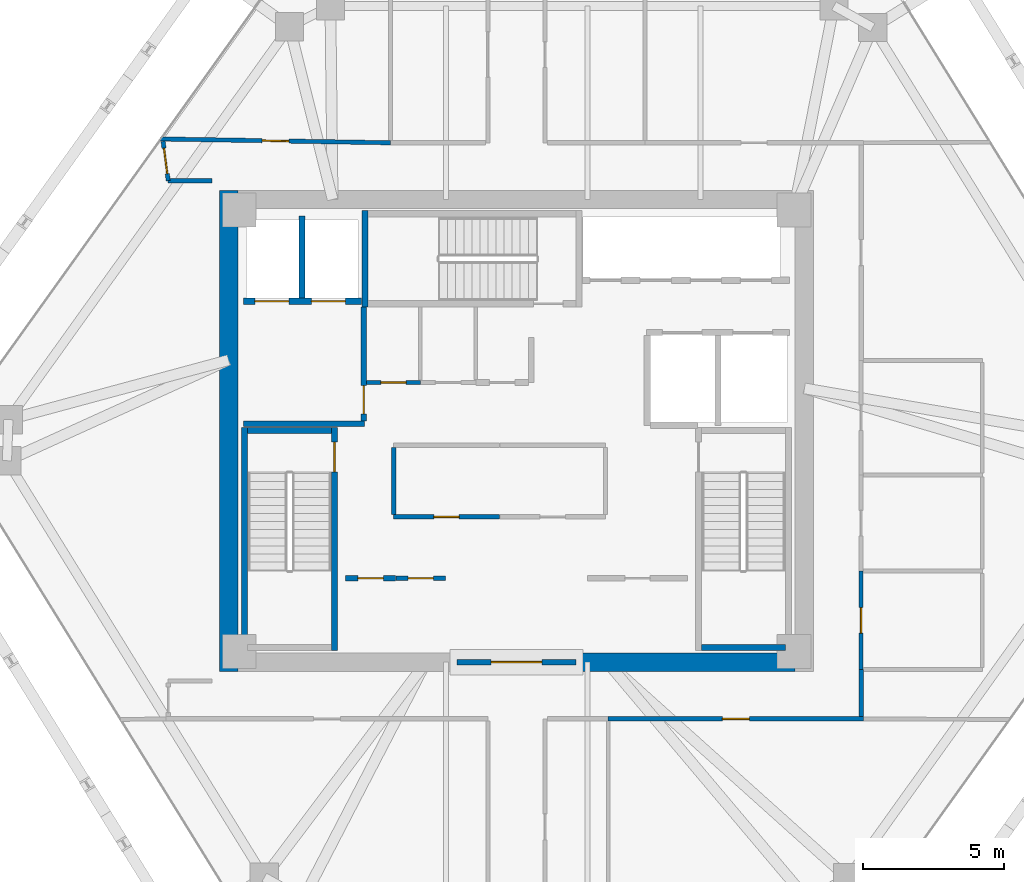
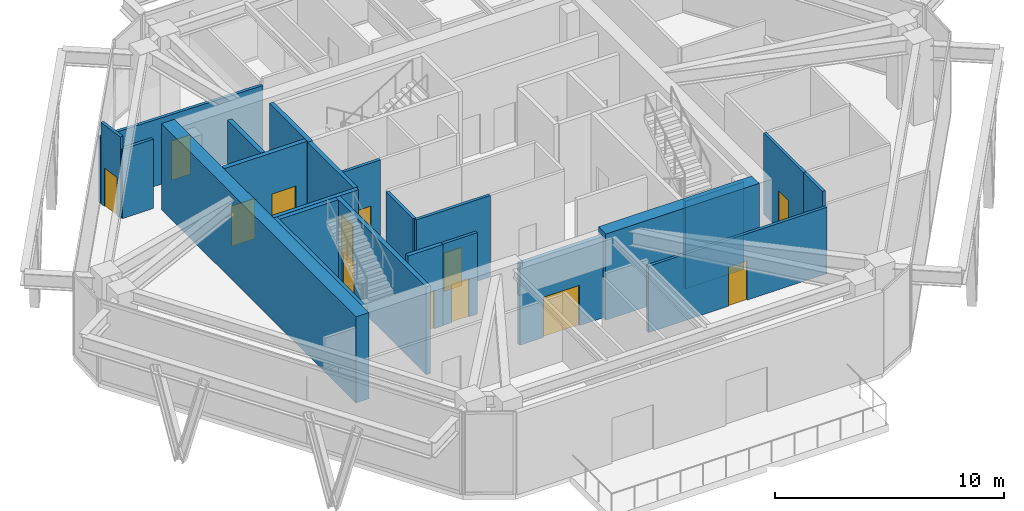
# One storey, part 8 of 12: 23 walls, 13 doors, 13 openings.
"""IFC4 building model written with IfcOpenShell, lengths in metres."""

import ifcopenshell
import ifcopenshell.guid

model = None  # the IFC model being written
_history = None  # IfcOwnerHistory: only IFC2X3 demands one
_inside = {}  # id of a spatial element -> (the spatial element, [elements in it])
_under = {}  # id of a project, library or spatial element -> (it, [spatial elements below it])
_declared = {}  # id of a project -> (the project, [libraries it declares])
_typed = {}  # id of a type object -> (the type object, [elements of that type])
_made_of = {}  # id of a material, layer set ... -> (it, [elements and type objects made of it])


def new_model(schema):
    """Start an empty IFC model of exactly this schema.

    Asked for "IFC4X3", IfcOpenShell would pick the latest addendum, in which some entities
    have other attributes; the version numbers below select the first issue.
    IFC2X3 requires an IfcOwnerHistory on every rooted entity: one is made here for all.
    """
    global model, _history
    if schema == "IFC4X3":
        model = ifcopenshell.file(schema_version=(4, 3, 0, 0))
    else:
        model = ifcopenshell.file(schema=schema)
    _inside.clear()
    _under.clear()
    _declared.clear()
    _typed.clear()
    _made_of.clear()
    _history = None
    if model.schema == "IFC2X3":
        org = make("IfcOrganization", Name="unknown")
        user = make(
            "IfcPersonAndOrganization",
            ThePerson=make("IfcPerson", FamilyName="unknown"),
            TheOrganization=org,
        )
        app = make(
            "IfcApplication",
            ApplicationDeveloper=org,
            Version="unknown",
            ApplicationFullName="unknown",
            ApplicationIdentifier="unknown",
        )
        _history = make(
            "IfcOwnerHistory",
            OwningUser=user,
            OwningApplication=app,
            ChangeAction="ADDED",
            CreationDate=0,
        )
    return model


def make(cls, **values):
    """One entity of the class cls with the attributes given. An attribute that is None is left unset."""
    return model.create_entity(
        cls, **{name: value for name, value in values.items() if value is not None}
    )


def rooted(cls, **values):
    """An entity with a GlobalId (a new one), such as an element, a storey or a relation."""
    return make(cls, GlobalId=ifcopenshell.guid.new(), OwnerHistory=_history, **values)


def si_unit(unit_type, name, prefix=None):
    """IfcSIUnit, for example si_unit("LENGTHUNIT", "METRE", prefix="MILLI")."""
    return make("IfcSIUnit", UnitType=unit_type, Prefix=prefix, Name=name)


def assignment(units):
    """IfcUnitAssignment: the units of a project."""
    return None if units is None else make("IfcUnitAssignment", Units=units)


def point(xyz):
    """IfcCartesianPoint."""
    return None if xyz is None else make("IfcCartesianPoint", Coordinates=xyz)


def direction(xyz):
    """IfcDirection."""
    return None if xyz is None else make("IfcDirection", DirectionRatios=xyz)


def frame(location, z_axis=None, x_axis=None):
    """IfcAxis2Placement3D, a coordinate frame: its origin and axes. An axis left out is left unset."""
    return make(
        "IfcAxis2Placement3D",
        Location=point(location),
        Axis=direction(z_axis),
        RefDirection=direction(x_axis),
    )


def frame_2d(location, x_axis=None):
    """IfcAxis2Placement2D, a coordinate frame in the plane: its origin and x axis."""
    return make(
        "IfcAxis2Placement2D", Location=point(location), RefDirection=direction(x_axis)
    )


def origin():
    """The frame at (0, 0, 0) with its axes left unset."""
    return frame((0.0, 0.0, 0.0))


def place(relative_to, where):
    """IfcLocalPlacement: puts the frame where relative to a parent placement (None: the world)."""
    return make(
        "IfcLocalPlacement", PlacementRelTo=relative_to, RelativePlacement=where
    )


def context(
    kind, dimensions, precision=None, world=None, true_north=None, identifier=None
):
    """IfcGeometricRepresentationContext, for example the 3D "Model" context."""
    return make(
        "IfcGeometricRepresentationContext",
        ContextIdentifier=identifier,
        ContextType=kind,
        CoordinateSpaceDimension=dimensions,
        Precision=precision,
        WorldCoordinateSystem=world,
        TrueNorth=true_north,
    )


def subcontext(parent, identifier, kind, view, scale=None):
    """IfcGeometricRepresentationSubContext, for example "Body" below "Model"."""
    return make(
        "IfcGeometricRepresentationSubContext",
        ContextIdentifier=identifier,
        ContextType=kind,
        ParentContext=parent,
        TargetScale=scale,
        TargetView=view,
    )


def project(units=None, contexts=None):
    """IfcProject with its units and contexts."""
    return rooted(
        "IfcProject",
        Name="project",
        RepresentationContexts=contexts,
        UnitsInContext=assignment(units),
    )


def spatial(cls, under=None, at=None, **own):
    """A site, building, storey or space (cls), placed at a placement, below another one or the project."""
    s = rooted(cls, ObjectPlacement=at, **own)
    if under is not None:
        _under.setdefault(under.id(), (under, []))[1].append(s)
    return s


def profile(cls, at=None, kind="AREA", **sizes):
    """A parametric profile (cls). Its sizes go by their IFC names, for example OverallWidth=200.0."""
    return make(cls, ProfileType=kind, Position=at, **sizes)


def rectangle(**sizes):
    """IfcRectangleProfileDef."""
    return profile("IfcRectangleProfileDef", **sizes)


def extrude(swept, where, along, depth):
    """IfcExtrudedAreaSolid: the profile swept, set in the frame where, extruded along a direction by depth."""
    return make(
        "IfcExtrudedAreaSolid",
        SweptArea=swept,
        Position=where,
        ExtrudedDirection=direction(along),
        Depth=depth,
    )


def shape(context_of_items, identifier, shape_type, items):
    """IfcShapeRepresentation: the items that make up one representation, for example the "Body"."""
    return make(
        "IfcShapeRepresentation",
        ContextOfItems=context_of_items,
        RepresentationIdentifier=identifier,
        RepresentationType=shape_type,
        Items=items,
    )


def source(mapping_origin, context_of_items, identifier, shape_type, items):
    """IfcRepresentationMap: a shape defined once, which mapped items show again and again."""
    return make(
        "IfcRepresentationMap",
        MappingOrigin=mapping_origin,
        MappedRepresentation=shape(context_of_items, identifier, shape_type, items),
    )


def transform(
    local_origin,
    x_axis=None,
    y_axis=None,
    z_axis=None,
    scale=None,
    scale2=None,
    scale3=None,
    uniform=True,
):
    """IfcCartesianTransformationOperator3D, or its non-uniform kind. x_axis, y_axis, z_axis: its Axis1, 2, 3."""
    if uniform:
        return make(
            "IfcCartesianTransformationOperator3D",
            Axis1=direction(x_axis),
            Axis2=direction(y_axis),
            LocalOrigin=point(local_origin),
            Scale=scale,
            Axis3=direction(z_axis),
        )
    return make(
        "IfcCartesianTransformationOperator3DnonUniform",
        Axis1=direction(x_axis),
        Axis2=direction(y_axis),
        LocalOrigin=point(local_origin),
        Scale=scale,
        Axis3=direction(z_axis),
        Scale2=scale2,
        Scale3=scale3,
    )


def mapped(mapping_source, mapping_target):
    """IfcMappedItem: shows the shape of a source again, moved by a transform."""
    return make(
        "IfcMappedItem", MappingSource=mapping_source, MappingTarget=mapping_target
    )


def material(Name=None, Category=None):
    """IfcMaterial."""
    return make("IfcMaterial", Name=Name, Category=Category)


def layer(
    of_material, thickness, ventilated=None, Name=None, Category=None, Priority=None
):
    """IfcMaterialLayer: one layer of a wall or slab, of a material (None: an air gap)."""
    return make(
        "IfcMaterialLayer",
        Material=of_material,
        LayerThickness=thickness,
        IsVentilated=ventilated,
        Name=Name,
        Category=Category,
        Priority=Priority,
    )


def layer_set(layers, Name=None):
    """IfcMaterialLayerSet."""
    return make("IfcMaterialLayerSet", MaterialLayers=layers, LayerSetName=Name)


def made_of(thing, what):
    """Note that an element or type object is made of a material, layer set ...; save() writes the relation."""
    if what is not None:
        _made_of.setdefault(what.id(), (what, []))[1].append(thing)
    return thing


def type_object(cls, material=None, **own):
    """A type object (cls), such as IfcWallType, which elements share."""
    return made_of(rooted(cls, **own), material)


def type_shapes(of_type, sources):
    """Give a type object the sources (RepresentationMaps) that its elements show as mapped items."""
    of_type.RepresentationMaps = sources


def element(
    cls,
    number,
    at=None,
    inside=None,
    cuts=None,
    type_object=None,
    material=None,
    context=None,
    identifier="Body",
    shape_type=None,
    held_by="IfcProductDefinitionShape",
    body=None,
    shapes=None,
    **own,
):
    """One element of the class cls, such as IfcWall. Its Tag is "e" and its number.

    at: its placement. inside: the storey or other place that contains it. cuts: it is an
    opening in that element (IfcRelVoidsElement). A single representation is given by context,
    identifier, shape_type and body (its items); several are given by shapes. held_by: the class
    of the entity that holds the representations. save() writes the other relations.
    """
    e = rooted(cls, Tag="e%d" % number, ObjectPlacement=at, **own)
    if body is not None:
        shapes = [shape(context, identifier, shape_type, body)]
    if shapes is not None:
        e.Representation = make(held_by, Representations=shapes)
    if inside is not None:
        _inside.setdefault(inside.id(), (inside, []))[1].append(e)
    if cuts is not None:
        rooted(
            "IfcRelVoidsElement", RelatingBuildingElement=cuts, RelatedOpeningElement=e
        )
    if type_object is not None:
        _typed.setdefault(type_object.id(), (type_object, []))[1].append(e)
    return made_of(e, material)


def fill(opening, filler):
    """IfcRelFillsElement: the door or window that sits in an opening."""
    return rooted(
        "IfcRelFillsElement",
        RelatingOpeningElement=opening,
        RelatedBuildingElement=filler,
    )


def aggregate(whole, parts):
    """IfcRelAggregates: a whole, such as a stair, and the parts it consists of."""
    return rooted("IfcRelAggregates", RelatingObject=whole, RelatedObjects=parts)


def save(model, path):
    """Write the relations noted so far, then the file.

    IfcRelAggregates (storeys below a building ...), IfcRelContainedInSpatialStructure (elements
    in a storey), IfcRelDefinesByType, IfcRelAssociatesMaterial and IfcRelDeclares: one each for
    every whole, place, type object, material and project.
    """
    for whole, parts in _under.values():
        aggregate(whole, parts)
    for where, things in _inside.values():
        rooted(
            "IfcRelContainedInSpatialStructure",
            RelatedElements=things,
            RelatingStructure=where,
        )
    for kind, things in _typed.values():
        rooted("IfcRelDefinesByType", RelatedObjects=things, RelatingType=kind)
    for what, things in _made_of.values():
        rooted("IfcRelAssociatesMaterial", RelatedObjects=things, RelatingMaterial=what)
    for by, libraries in _declared.values():
        rooted("IfcRelDeclares", RelatingContext=by, RelatedDefinitions=libraries)
    model.write(path)


model = new_model("IFC4")

# Units and contexts
model_context = context("Model", 3, precision=1e-05, world=origin(), true_north=direction((0.0, 1.0)))
body_context = subcontext(model_context, "Body", "Model", "MODEL_VIEW")
ifc_project = project(units=[si_unit("LENGTHUNIT", "METRE"), si_unit("AREAUNIT", "SQUARE_METRE"), si_unit("VOLUMEUNIT", "CUBIC_METRE"), si_unit("PLANEANGLEUNIT", "RADIAN"), si_unit("MASSUNIT", "GRAM", prefix="KILO")], contexts=[model_context])

# Site, building, storey
site_placement = place(None, origin())
site = spatial("IfcSite", under=ifc_project, at=site_placement, CompositionType="ELEMENT")
building_placement = place(site_placement, origin())
building = spatial("IfcBuilding", under=site, at=building_placement, Name="Durnholm Broadcast Tower", CompositionType="ELEMENT")
storey_placement = place(building_placement, frame((0.0, 0.0, 162.60009765625)))
storey = spatial("IfcBuildingStorey", under=building, at=storey_placement, Name="L44", CompositionType="ELEMENT", Elevation=162.60009765625)

# Walls
ifc_material_1 = material(Name="Concrete C70/85", Category="concrete")
ifc_layer_1 = layer(ifc_material_1, 0.64990234375)
ifc_layer_set_1 = layer_set([ifc_layer_1], Name="Concrete C70/85")
wall_type_1 = type_object("IfcWallType", Name="WALL-CW-650", PredefinedType="SHEAR", material=ifc_layer_set_1)
wall_1_placement = place(storey_placement, frame((-10.175048828125, -8.5, 0.0), z_axis=(0.0, 0.0, 1.0), x_axis=(0.0, 1.0, 0.0)))
element("IfcWall", 1, at=wall_1_placement, inside=storey, type_object=wall_type_1, Name="L44 central core shear wall CW-WEST", PredefinedType="SHEAR", context=body_context, shape_type="SweptSolid", body=[
    extrude(rectangle(XDim=17.0, YDim=0.64990234375, at=frame_2d((8.5, 0.0))), origin(), (0.0, 0.0, 1.0), 4.599853515625),
])
wall_2_placement = place(storey_placement, frame((2.10009765625, -8.175048828125, 0.0), z_axis=(0.0, 0.0, 1.0), x_axis=(1.0, 0.0, 0.0)))
element("IfcWall", 2, at=wall_2_placement, inside=storey, type_object=wall_type_1, Name="L44 central core shear wall CW-S2", PredefinedType="SHEAR", context=body_context, shape_type="SweptSolid", body=[
    extrude(rectangle(XDim=7.75, YDim=0.64990234375, at=frame_2d((3.875, 0.0))), origin(), (0.0, 0.0, 1.0), 4.599853515625),
])

# Wall, opening, door
ifc_material_2 = material(Name="Fire-Rated Gypsum Shaftwall", Category="concrete")
ifc_layer_2 = layer(ifc_material_2, 0.199951171875)
ifc_layer_set_2 = layer_set([ifc_layer_2], Name="Fire-Rated Gypsum Shaftwall")
wall_type_2 = type_object("IfcWallType", Name="WALL-LOB-200", PredefinedType="SOLIDWALL", material=ifc_layer_set_2)
wall_3_placement = place(storey_placement, frame((-2.10009765625, -8.175048828125, 0.0), z_axis=(0.0, 0.0, 1.0), x_axis=(1.0, 0.0, 0.0)))
wall_3 = element("IfcWall", 3, at=wall_3_placement, inside=storey, type_object=wall_type_2, Name="L44 south core lobby fire screen", PredefinedType="SOLIDWALL", context=body_context, shape_type="SweptSolid", body=[
    extrude(rectangle(XDim=4.2001953125, YDim=0.199951171875, at=frame_2d((2.10009765625, 0.0))), origin(), (0.0, 0.0, 1.0), 4.344970703125),
])
opening_1_placement = place(wall_3_placement, frame((1.199951171875, 0.0, 0.0)))
opening_1 = element("IfcOpeningElement", 4, at=opening_1_placement, cuts=wall_3, Name="Opening DP-60", PredefinedType="OPENING", context=body_context, shape_type="SweptSolid", body=[
    extrude(rectangle(XDim=1.800048828125, YDim=2.14990234375, at=frame_2d((0.89990234375, 1.074951171875))), frame((0.0, 0.10986328125, 0.0), z_axis=(0.0, -1.0, 0.0), x_axis=(1.0, 0.0, 0.0)), (0.0, 0.0, 1.0), 0.219970703125),
])
ifc_material_3 = material(Name="Fire-Rated Double Corridor Door", Category="steel")
ifc_layer_3 = layer(ifc_material_3, 0.050048828125)
ifc_layer_set_3 = layer_set([ifc_layer_3], Name="Fire-Rated Double Corridor Door")
door_type_1 = type_object("IfcDoorType", Name="DOOR-PAIR-FD60", OperationType="DOUBLE_DOOR_SINGLE_SWING", PredefinedType="DOOR", material=ifc_layer_set_3)
shared_shape_1 = source(origin(), body_context, "Body", "SweptSolid", [
    extrude(rectangle(XDim=1.800048828125, YDim=2.14990234375, at=frame_2d((0.89990234375, 1.074951171875))), frame((0.0, 0.02490234375, 0.0), z_axis=(0.0, -1.0, 0.0), x_axis=(1.0, 0.0, 0.0)), (0.0, 0.0, 1.0), 0.050048828125),
])
type_shapes(door_type_1, [shared_shape_1])
door_1_placement = place(opening_1_placement, origin())
door_1 = element("IfcDoor", 5, at=door_1_placement, inside=storey, type_object=door_type_1, Name="L44 south core lobby double fire door", OperationType="DOUBLE_DOOR_SINGLE_SWING", OverallHeight=2.14990234375, OverallWidth=1.800048828125, PredefinedType="DOOR", context=body_context, shape_type="MappedRepresentation", body=[
    mapped(shared_shape_1, transform((0.0, 0.0, 0.0), x_axis=(1.0, 0.0, 0.0), y_axis=(0.0, 1.0, 0.0), z_axis=(0.0, 0.0, 1.0), scale=1.0)),
])
fill(opening_1, door_1)

# Wall
wall_4_placement = place(storey_placement, frame((-9.64990234375, 0.25, 0.0), z_axis=(0.0, 0.0, 1.0), x_axis=(1.0, 0.0, 0.0)))
element("IfcWall", 6, at=wall_4_placement, inside=storey, type_object=wall_type_2, Name="L44 Fire Service Access Elevator lobby south wall", PredefinedType="SOLIDWALL", context=body_context, shape_type="SweptSolid", body=[
    extrude(rectangle(XDim=4.27001953125, YDim=0.199951171875, at=frame_2d((2.135009765625, 0.0))), origin(), (0.0, 0.0, 1.0), 4.344970703125),
])

# Wall, opening, door
wall_5_placement = place(storey_placement, frame((-5.39990234375, 0.35400390625, 0.0), z_axis=(0.0, 0.0, 1.0), x_axis=(0.0, 1.0, 0.0)))
wall_5 = element("IfcWall", 7, at=wall_5_placement, inside=storey, type_object=wall_type_2, Name="L44 Fire Service Access Elevator lobby east fire wall", PredefinedType="SOLIDWALL", context=body_context, shape_type="SweptSolid", body=[
    extrude(rectangle(XDim=4.02587890625, YDim=0.199951171875, at=frame_2d((2.012939453125, 0.0))), origin(), (0.0, 0.0, 1.0), 4.344970703125),
])
opening_2_placement = place(wall_5_placement, frame((0.24609375, 0.0, 0.0)))
opening_2 = element("IfcOpeningElement", 8, at=opening_2_placement, cuts=wall_5, Name="Opening DL-60L", PredefinedType="OPENING", context=body_context, shape_type="SweptSolid", body=[
    extrude(rectangle(XDim=1.0, YDim=2.14990234375, at=frame_2d((0.5, 1.074951171875))), frame((0.0, 0.10986328125, 0.0), z_axis=(0.0, -1.0, 0.0), x_axis=(1.0, 0.0, 0.0)), (0.0, 0.0, 1.0), 0.219970703125),
])
ifc_material_4 = material(Name="Fire-Rated Timber/Steel Door", Category="steel")
ifc_layer_4 = layer(ifc_material_4, 0.050048828125)
ifc_layer_set_4 = layer_set([ifc_layer_4], Name="Fire-Rated Timber/Steel Door")
door_type_2 = type_object("IfcDoorType", Name="DOOR-LOB-FD60-L", OperationType="NOTDEFINED", PredefinedType="DOOR", material=ifc_layer_set_4)
shared_shape_2 = source(origin(), body_context, "Body", "SweptSolid", [
    extrude(rectangle(XDim=1.0, YDim=2.14990234375, at=frame_2d((0.5, 1.074951171875))), frame((0.0, 0.02490234375, 0.0), z_axis=(0.0, -1.0, 0.0), x_axis=(1.0, 0.0, 0.0)), (0.0, 0.0, 1.0), 0.050048828125),
])
type_shapes(door_type_2, [shared_shape_2])
door_2_placement = place(opening_2_placement, origin())
door_2 = element("IfcDoor", 9, at=door_2_placement, inside=storey, type_object=door_type_2, Name="L44 Fire Service Access Elevator lobby smoke door", OperationType="SINGLE_SWING_LEFT", OverallHeight=2.14990234375, OverallWidth=1.0, PredefinedType="DOOR", context=body_context, shape_type="MappedRepresentation", body=[
    mapped(shared_shape_2, transform((0.0, 0.0, 0.0), x_axis=(1.0, 0.0, 0.0), y_axis=(0.0, 1.0, 0.0), z_axis=(0.0, 0.0, 1.0), scale=1.0)),
])
fill(opening_2, door_2)

wall_6_placement = place(storey_placement, frame((-6.0400390625, -5.2099609375, 0.0), z_axis=(0.0, 0.0, 1.0), x_axis=(1.0, 0.0, 0.0)))
wall_6 = element("IfcWall", 10, at=wall_6_placement, inside=storey, type_object=wall_type_2, Name="L44 Media Fiber Patch Room corridor partition", PredefinedType="SOLIDWALL", context=body_context, shape_type="SweptSolid", body=[
    extrude(rectangle(XDim=1.760009765625, YDim=0.199951171875, at=frame_2d((0.8798828125, 0.0))), origin(), (0.0, 0.0, 1.0), 4.344970703125),
])
opening_3_placement = place(wall_6_placement, frame((0.429931640625, 0.0, 0.0)))
opening_3 = element("IfcOpeningElement", 11, at=opening_3_placement, cuts=wall_6, Name="Opening DC-60R", PredefinedType="OPENING", context=body_context, shape_type="SweptSolid", body=[
    extrude(rectangle(XDim=0.89990234375, YDim=2.050048828125, at=frame_2d((0.449951171875, 1.02490234375))), frame((0.0, 0.10986328125, 0.0), z_axis=(0.0, -1.0, 0.0), x_axis=(1.0, 0.0, 0.0)), (0.0, 0.0, 1.0), 0.219970703125),
])
ifc_material_5 = material(Name="Fire-Rated Core Service Door", Category="steel")
ifc_layer_5 = layer(ifc_material_5, 0.050048828125)
ifc_layer_set_5 = layer_set([ifc_layer_5], Name="Fire-Rated Core Service Door")
door_type_3 = type_object("IfcDoorType", Name="DOOR-CORE-FD60-R", OperationType="NOTDEFINED", PredefinedType="DOOR", material=ifc_layer_set_5)
shared_shape_3 = source(origin(), body_context, "Body", "SweptSolid", [
    extrude(rectangle(XDim=0.89990234375, YDim=2.050048828125, at=frame_2d((0.449951171875, 1.02490234375))), frame((0.0, 0.02490234375, 0.0), z_axis=(0.0, -1.0, 0.0), x_axis=(1.0, 0.0, 0.0)), (0.0, 0.0, 1.0), 0.050048828125),
])
type_shapes(door_type_3, [shared_shape_3])
door_3_placement = place(opening_3_placement, origin())
door_3 = element("IfcDoor", 12, at=door_3_placement, inside=storey, type_object=door_type_3, Name="L44 Media Fiber Patch Room entrance door", OperationType="SINGLE_SWING_RIGHT", OverallHeight=2.050048828125, OverallWidth=0.89990234375, PredefinedType="DOOR", context=body_context, shape_type="MappedRepresentation", body=[
    mapped(shared_shape_3, transform((0.0, 0.0, 0.0), x_axis=(1.0, 0.0, 0.0), y_axis=(0.0, 1.0, 0.0), z_axis=(0.0, 0.0, 1.0), scale=1.0)),
])
fill(opening_3, door_3)

ifc_material_6 = material(Name="Acoustic Gypsum Stud Partition", Category="concrete")
ifc_layer_6 = layer(ifc_material_6, 0.14990234375)
ifc_layer_set_6 = layer_set([ifc_layer_6], Name="Acoustic Gypsum Stud Partition")
wall_type_3 = type_object("IfcWallType", Name="WALL-PART-150", PredefinedType="PARTITIONING", material=ifc_layer_set_6)
wall_7_placement = place(storey_placement, frame((-4.260009765625, -5.2099609375, 0.0), z_axis=(0.0, 0.0, 1.0), x_axis=(1.0, 0.0, 0.0)))
wall_7 = element("IfcWall", 13, at=wall_7_placement, inside=storey, type_object=wall_type_3, Name="L44 Copy and Print Room corridor partition", PredefinedType="PARTITIONING", context=body_context, shape_type="SweptSolid", body=[
    extrude(rectangle(XDim=1.75, YDim=0.14990234375, at=frame_2d((0.875, 0.0))), origin(), (0.0, 0.0, 1.0), 4.344970703125),
])
opening_4_placement = place(wall_7_placement, frame((0.425048828125, 0.0, 0.0)))
opening_4 = element("IfcOpeningElement", 14, at=opening_4_placement, cuts=wall_7, Name="Opening DC-60L", PredefinedType="OPENING", context=body_context, shape_type="SweptSolid", body=[
    extrude(rectangle(XDim=0.89990234375, YDim=2.050048828125, at=frame_2d((0.449951171875, 1.02490234375))), frame((0.0, 0.0849609375, 0.0), z_axis=(0.0, -1.0, 0.0), x_axis=(1.0, 0.0, 0.0)), (0.0, 0.0, 1.0), 0.169921875),
])
ifc_layer_7 = layer(ifc_material_5, 0.050048828125)
ifc_layer_set_7 = layer_set([ifc_layer_7], Name="Fire-Rated Core Service Door")
door_type_4 = type_object("IfcDoorType", Name="DOOR-CORE-FD60-L", OperationType="NOTDEFINED", PredefinedType="DOOR", material=ifc_layer_set_7)
shared_shape_4 = source(origin(), body_context, "Body", "SweptSolid", [
    extrude(rectangle(XDim=0.89990234375, YDim=2.050048828125, at=frame_2d((0.449951171875, 1.02490234375))), frame((0.0, 0.02490234375, 0.0), z_axis=(0.0, -1.0, 0.0), x_axis=(1.0, 0.0, 0.0)), (0.0, 0.0, 1.0), 0.050048828125),
])
type_shapes(door_type_4, [shared_shape_4])
door_4_placement = place(opening_4_placement, origin())
door_4 = element("IfcDoor", 15, at=door_4_placement, inside=storey, type_object=door_type_4, Name="L44 Copy and Print Room entrance door", OperationType="SINGLE_SWING_LEFT", OverallHeight=2.050048828125, OverallWidth=0.89990234375, PredefinedType="DOOR", context=body_context, shape_type="MappedRepresentation", body=[
    mapped(shared_shape_4, transform((0.0, 0.0, 0.0), x_axis=(1.0, 0.0, 0.0), y_axis=(0.0, 1.0, 0.0), z_axis=(0.0, 0.0, 1.0), scale=1.0)),
])
fill(opening_4, door_4)

wall_8_placement = place(storey_placement, frame((-0.610107421875, -3.0400390625, 0.0), z_axis=(0.0, 0.0, 1.0), x_axis=(-1.0, 0.0, 0.0)))
wall_8 = element("IfcWall", 16, at=wall_8_placement, inside=storey, type_object=wall_type_3, Name="L44 Digital Tape Archive Store corridor partition", PredefinedType="PARTITIONING", context=body_context, shape_type="SweptSolid", body=[
    extrude(rectangle(XDim=3.72998046875, YDim=0.14990234375, at=frame_2d((1.864990234375, 0.0))), origin(), (0.0, 0.0, 1.0), 4.344970703125),
])
opening_5_placement = place(wall_8_placement, frame((1.4150390625, 0.0, 0.0)))
opening_5 = element("IfcOpeningElement", 17, at=opening_5_placement, cuts=wall_8, Name="Opening DC-60L", PredefinedType="OPENING", context=body_context, shape_type="SweptSolid", body=[
    extrude(rectangle(XDim=0.89990234375, YDim=2.050048828125, at=frame_2d((0.449951171875, 1.02490234375))), frame((0.0, 0.0849609375, 0.0), z_axis=(0.0, -1.0, 0.0), x_axis=(1.0, 0.0, 0.0)), (0.0, 0.0, 1.0), 0.169921875),
])
door_5_placement = place(opening_5_placement, origin())
door_5 = element("IfcDoor", 18, at=door_5_placement, inside=storey, type_object=door_type_4, Name="L44 Digital Tape Archive Store entrance door", OperationType="SINGLE_SWING_LEFT", OverallHeight=2.050048828125, OverallWidth=0.89990234375, PredefinedType="DOOR", context=body_context, shape_type="MappedRepresentation", body=[
    mapped(shared_shape_4, transform((0.0, 0.0, 0.0), x_axis=(1.0, 0.0, 0.0), y_axis=(0.0, 1.0, 0.0), z_axis=(0.0, 0.0, 1.0), scale=1.0)),
])
fill(opening_5, door_5)

# Wall
wall_9_placement = place(storey_placement, frame((-4.340087890625, -2.9609375, 0.0), z_axis=(0.0, 0.0, 1.0), x_axis=(0.0, 1.0, 0.0)))
element("IfcWall", 19, at=wall_9_placement, inside=storey, type_object=wall_type_3, Name="L44 Digital Tape Archive Store corridor partition", PredefinedType="PARTITIONING", context=body_context, shape_type="SweptSolid", body=[
    extrude(rectangle(XDim=2.371826171875, YDim=0.14990234375, at=frame_2d((1.18603515625, 0.0))), origin(), (0.0, 0.0, 1.0), 4.344970703125),
])

# Wall, opening, door
wall_10_placement = place(storey_placement, frame((-3.39990234375, 1.7099609375, 0.0), z_axis=(0.0, 0.0, 1.0), x_axis=(-1.0, 0.0, 0.0)))
wall_10 = element("IfcWall", 20, at=wall_10_placement, inside=storey, type_object=wall_type_3, Name="L44 Core Copy and Print Closet corridor partition", PredefinedType="PARTITIONING", context=body_context, shape_type="SweptSolid", body=[
    extrude(rectangle(XDim=1.89599609375, YDim=0.14990234375, at=frame_2d((0.947998046875, 0.0))), origin(), (0.0, 0.0, 1.0), 4.344970703125),
])
opening_6_placement = place(wall_10_placement, frame((0.498046875, 0.0, 0.0)))
opening_6 = element("IfcOpeningElement", 21, at=opening_6_placement, cuts=wall_10, Name="Opening DC-60L", PredefinedType="OPENING", context=body_context, shape_type="SweptSolid", body=[
    extrude(rectangle(XDim=0.89990234375, YDim=2.050048828125, at=frame_2d((0.449951171875, 1.02490234375))), frame((0.0, 0.0849609375, 0.0), z_axis=(0.0, -1.0, 0.0), x_axis=(1.0, 0.0, 0.0)), (0.0, 0.0, 1.0), 0.169921875),
])
door_6_placement = place(opening_6_placement, origin())
door_6 = element("IfcDoor", 22, at=door_6_placement, inside=storey, type_object=door_type_4, Name="L44 Core Copy and Print Closet entrance door", OperationType="SINGLE_SWING_LEFT", OverallHeight=2.050048828125, OverallWidth=0.89990234375, PredefinedType="DOOR", context=body_context, shape_type="MappedRepresentation", body=[
    mapped(shared_shape_4, transform((0.0, 0.0, 0.0), x_axis=(1.0, 0.0, 0.0), y_axis=(0.0, 1.0, 0.0), z_axis=(0.0, 0.0, 1.0), scale=1.0)),
])
fill(opening_6, door_6)

wall_11_placement = place(storey_placement, frame((-4.4599609375, 10.179931640625, 0.0), z_axis=(0.0, 0.0, 1.0), x_axis=(-0.999860278764, 0.016715948973, 0.0)))
wall_11 = element("IfcWall", 23, at=wall_11_placement, inside=storey, type_object=wall_type_3, Name="L44 Open Plan Broadcast Workspace 2 corridor partition", PredefinedType="PARTITIONING", context=body_context, shape_type="SweptSolid", body=[
    extrude(rectangle(XDim=8.12060546875, YDim=0.14990234375, at=frame_2d((4.060302734375, 0.0))), origin(), (0.0, 0.0, 1.0), 3.541748046875),
])
opening_7_placement = place(wall_11_placement, frame((3.585205078125, 0.0, 0.0)))
opening_7 = element("IfcOpeningElement", 24, at=opening_7_placement, cuts=wall_11, Name="Opening DR-95L", PredefinedType="OPENING", context=body_context, shape_type="SweptSolid", body=[
    extrude(rectangle(XDim=0.949951171875, YDim=2.10009765625, at=frame_2d((0.47509765625, 1.050048828125))), frame((0.0, 0.0849609375, 0.0), z_axis=(0.0, -1.0, 0.0), x_axis=(1.0, 0.0, 0.0)), (0.0, 0.0, 1.0), 0.169921875),
])
ifc_material_7 = material(Name="Acoustic Oak Veneer Timber Door", Category="wood")
ifc_layer_8 = layer(ifc_material_7, 0.050048828125)
ifc_layer_set_8 = layer_set([ifc_layer_8], Name="Acoustic Oak Veneer Timber Door")
door_type_5 = type_object("IfcDoorType", Name="DOOR-RM-950L", OperationType="NOTDEFINED", PredefinedType="DOOR", material=ifc_layer_set_8)
shared_shape_5 = source(origin(), body_context, "Body", "SweptSolid", [
    extrude(rectangle(XDim=0.949951171875, YDim=2.10009765625, at=frame_2d((0.47509765625, 1.050048828125))), frame((0.0, 0.02490234375, 0.0), z_axis=(0.0, -1.0, 0.0), x_axis=(1.0, 0.0, 0.0)), (0.0, 0.0, 1.0), 0.050048828125),
])
type_shapes(door_type_5, [shared_shape_5])
door_7_placement = place(opening_7_placement, origin())
door_7 = element("IfcDoor", 25, at=door_7_placement, inside=storey, type_object=door_type_5, Name="L44 Open Plan Broadcast Workspace 2 entrance door", OperationType="SINGLE_SWING_LEFT", OverallHeight=2.10009765625, OverallWidth=0.949951171875, PredefinedType="DOOR", context=body_context, shape_type="MappedRepresentation", body=[
    mapped(shared_shape_5, transform((0.0, 0.0, 0.0), x_axis=(1.0, 0.0, 0.0), y_axis=(0.0, 1.0, 0.0), z_axis=(0.0, 0.0, 1.0), scale=1.0)),
])
fill(opening_7, door_7)

wall_12_placement = place(storey_placement, frame((3.239990234375, -10.179931640625, 0.0), z_axis=(0.0, 0.0, 1.0), x_axis=(1.0, 0.0, 0.0)))
wall_12 = element("IfcWall", 26, at=wall_12_placement, inside=storey, type_object=wall_type_3, Name="L44 Sky Pool Club Lounge corridor partition", PredefinedType="PARTITIONING", context=body_context, shape_type="SweptSolid", body=[
    extrude(rectangle(XDim=9.02001953125, YDim=0.14990234375, at=frame_2d((4.510009765625, 0.0))), origin(), (0.0, 0.0, 1.0), 3.541748046875),
])
opening_8_placement = place(wall_12_placement, frame((4.034912109375, 0.0, 0.0)))
opening_8 = element("IfcOpeningElement", 27, at=opening_8_placement, cuts=wall_12, Name="Opening DR-95L", PredefinedType="OPENING", context=body_context, shape_type="SweptSolid", body=[
    extrude(rectangle(XDim=0.949951171875, YDim=2.10009765625, at=frame_2d((0.47509765625, 1.050048828125))), frame((0.0, 0.0849609375, 0.0), z_axis=(0.0, -1.0, 0.0), x_axis=(1.0, 0.0, 0.0)), (0.0, 0.0, 1.0), 0.169921875),
])
door_8_placement = place(opening_8_placement, origin())
door_8 = element("IfcDoor", 28, at=door_8_placement, inside=storey, type_object=door_type_5, Name="L44 Sky Pool Club Lounge entrance door", OperationType="SINGLE_SWING_LEFT", OverallHeight=2.10009765625, OverallWidth=0.949951171875, PredefinedType="DOOR", context=body_context, shape_type="MappedRepresentation", body=[
    mapped(shared_shape_5, transform((0.0, 0.0, 0.0), x_axis=(1.0, 0.0, 0.0), y_axis=(0.0, 1.0, 0.0), z_axis=(0.0, 0.0, 1.0), scale=1.0)),
])
fill(opening_8, door_8)

# Wall
wall_13_placement = place(storey_placement, frame((-12.31005859375, 8.840087890625, 0.0), z_axis=(0.0, 0.0, 1.0), x_axis=(1.0, 0.0, 0.0)))
element("IfcWall", 29, at=wall_13_placement, inside=storey, type_object=wall_type_3, Name="L44 Pool Locker Store corridor partition", PredefinedType="PARTITIONING", context=body_context, shape_type="SweptSolid", body=[
    extrude(rectangle(XDim=1.550048828125, YDim=0.14990234375, at=frame_2d((0.77490234375, 0.0))), origin(), (0.0, 0.0, 1.0), 3.69873046875),
])

# Wall, opening, door
wall_14_placement = place(storey_placement, frame((-12.4921875, 10.235107421875, 0.0), z_axis=(0.0, 0.0, 1.0), x_axis=(0.129457884372, -0.991584921312, 0.0)))
wall_14 = element("IfcWall", 30, at=wall_14_placement, inside=storey, type_object=wall_type_3, Name="L44 Pool Locker Store corridor partition", PredefinedType="PARTITIONING", context=body_context, shape_type="SweptSolid", body=[
    extrude(rectangle(XDim=1.40673828125, YDim=0.14990234375, at=frame_2d((0.703369140625, 0.0))), origin(), (0.0, 0.0, 1.0), 4.344970703125),
])
opening_9_placement = place(wall_14_placement, frame((0.25341796875, 0.0, 0.0)))
opening_9 = element("IfcOpeningElement", 31, at=opening_9_placement, cuts=wall_14, Name="Opening DC-60L", PredefinedType="OPENING", context=body_context, shape_type="SweptSolid", body=[
    extrude(rectangle(XDim=0.89990234375, YDim=2.050048828125, at=frame_2d((0.449951171875, 1.02490234375))), frame((0.0, 0.0849609375, 0.0), z_axis=(0.0, -1.0, 0.0), x_axis=(1.0, 0.0, 0.0)), (0.0, 0.0, 1.0), 0.169921875),
])
door_9_placement = place(opening_9_placement, origin())
door_9 = element("IfcDoor", 32, at=door_9_placement, inside=storey, type_object=door_type_4, Name="L44 Pool Locker Store entrance door", OperationType="SINGLE_SWING_LEFT", OverallHeight=2.050048828125, OverallWidth=0.89990234375, PredefinedType="DOOR", context=body_context, shape_type="MappedRepresentation", body=[
    mapped(shared_shape_4, transform((0.0, 0.0, 0.0), x_axis=(1.0, 0.0, 0.0), y_axis=(0.0, 1.0, 0.0), z_axis=(0.0, 0.0, 1.0), scale=1.0)),
])
fill(opening_9, door_9)

# Wall
wall_15_placement = place(storey_placement, frame((12.179931640625, -10.10107421875, 0.0), z_axis=(0.0, 0.0, 1.0), x_axis=(0.0, 1.0, 0.0)))
element("IfcWall", 33, at=wall_15_placement, inside=storey, type_object=wall_type_3, Name="L44 Club Dining Room corridor partition", PredefinedType="PARTITIONING", context=body_context, shape_type="SweptSolid", body=[
    extrude(rectangle(XDim=1.6611328125, YDim=0.14990234375, at=frame_2d((0.83056640625, 0.0))), origin(), (0.0, 0.0, 1.0), 4.344970703125),
])

# Wall, openings, doors
ifc_material_8 = material(Name="Concrete Blockwork C30/37", Category="masonry")
ifc_layer_9 = layer(ifc_material_8, 0.219970703125)
ifc_layer_set_9 = layer_set([ifc_layer_9], Name="Concrete Blockwork C30/37")
wall_type_4 = type_object("IfcWallType", Name="WALL-SHAFT-220", PredefinedType="SOLIDWALL", material=ifc_layer_set_9)
wall_16_placement = place(storey_placement, frame((-9.64990234375, 4.580078125, 0.0), z_axis=(0.0, 0.0, 1.0), x_axis=(1.0, 0.0, 0.0)))
wall_16 = element("IfcWall", 34, at=wall_16_placement, inside=storey, type_object=wall_type_4, Name="L44 FSAE hoistway front fire wall", PredefinedType="SOLIDWALL", context=body_context, shape_type="SweptSolid", body=[
    extrude(rectangle(XDim=4.1748046875, YDim=0.219970703125, at=frame_2d((2.08740234375, 0.0))), origin(), (0.0, 0.0, 1.0), 4.344970703125),
])
opening_10_placement = place(wall_16_placement, frame((0.39990234375, 0.0, 0.0)))
opening_10 = element("IfcOpeningElement", 35, at=opening_10_placement, cuts=wall_16, Name="Opening LD-FSAE-2", PredefinedType="OPENING", context=body_context, shape_type="SweptSolid", body=[
    extrude(rectangle(XDim=1.199951171875, YDim=2.14990234375, at=frame_2d((0.60009765625, 1.074951171875))), frame((0.0, 0.1201171875, 0.0), z_axis=(0.0, -1.0, 0.0), x_axis=(1.0, 0.0, 0.0)), (0.0, 0.0, 1.0), 0.239990234375),
])
opening_11_placement = place(wall_16_placement, frame((2.39990234375, 0.0, 0.0)))
opening_11 = element("IfcOpeningElement", 36, at=opening_11_placement, cuts=wall_16, Name="Opening LD-FSAE-1", PredefinedType="OPENING", context=body_context, shape_type="SweptSolid", body=[
    extrude(rectangle(XDim=1.199951171875, YDim=2.14990234375, at=frame_2d((0.60009765625, 1.074951171875))), frame((0.0, 0.1201171875, 0.0), z_axis=(0.0, -1.0, 0.0), x_axis=(1.0, 0.0, 0.0)), (0.0, 0.0, 1.0), 0.239990234375),
])
ifc_material_9 = material(Name="Fire Service Access Sliding Landing Door", Category="steel")
ifc_layer_10 = layer(ifc_material_9, 0.050048828125)
ifc_layer_set_10 = layer_set([ifc_layer_10], Name="Fire Service Access Sliding Landing Door")
door_type_6 = type_object("IfcDoorType", Name="DOOR-LIFT-FSAE", OperationType="DOUBLE_DOOR_SLIDING", PredefinedType="DOOR", material=ifc_layer_set_10)
shared_shape_6 = source(origin(), body_context, "Body", "SweptSolid", [
    extrude(rectangle(XDim=1.199951171875, YDim=2.14990234375, at=frame_2d((0.60009765625, 1.074951171875))), frame((0.0, 0.02490234375, 0.0), z_axis=(0.0, -1.0, 0.0), x_axis=(1.0, 0.0, 0.0)), (0.0, 0.0, 1.0), 0.050048828125),
])
type_shapes(door_type_6, [shared_shape_6])
door_10_placement = place(opening_10_placement, origin())
door_10 = element("IfcDoor", 37, at=door_10_placement, inside=storey, type_object=door_type_6, Name="L44 Fire Service Access Elevator FSAE-2 sliding landing door", OperationType="DOUBLE_DOOR_SLIDING", OverallHeight=2.14990234375, OverallWidth=1.199951171875, PredefinedType="DOOR", context=body_context, shape_type="MappedRepresentation", body=[
    mapped(shared_shape_6, transform((0.0, 0.0, 0.0), x_axis=(1.0, 0.0, 0.0), y_axis=(0.0, 1.0, 0.0), z_axis=(0.0, 0.0, 1.0), scale=1.0)),
])
fill(opening_10, door_10)
door_11_placement = place(opening_11_placement, origin())
door_11 = element("IfcDoor", 38, at=door_11_placement, inside=storey, type_object=door_type_6, Name="L44 Fire Service Access Elevator FSAE-1 sliding landing door", OperationType="DOUBLE_DOOR_SLIDING", OverallHeight=2.14990234375, OverallWidth=1.199951171875, PredefinedType="DOOR", context=body_context, shape_type="MappedRepresentation", body=[
    mapped(shared_shape_6, transform((0.0, 0.0, 0.0), x_axis=(1.0, 0.0, 0.0), y_axis=(0.0, 1.0, 0.0), z_axis=(0.0, 0.0, 1.0), scale=1.0)),
])
fill(opening_11, door_11)

# Wall
wall_17_placement = place(storey_placement, frame((-7.580078125, 4.694091796875, 0.0), z_axis=(0.0, 0.0, 1.0), x_axis=(0.0, 1.0, 0.0)))
element("IfcWall", 39, at=wall_17_placement, inside=storey, type_object=wall_type_4, Name="L44 FSAE shaft divider wall", PredefinedType="SOLIDWALL", context=body_context, shape_type="SweptSolid", body=[
    extrude(rectangle(XDim=2.906005859375, YDim=0.219970703125, at=frame_2d((1.453125, 0.0))), origin(), (0.0, 0.0, 1.0), 4.344970703125),
])

# Wall, opening, door
ifc_material_10 = material(Name="Concrete C50/60", Category="concrete")
ifc_layer_11 = layer(ifc_material_10, 0.219970703125)
ifc_layer_set_11 = layer_set([ifc_layer_11], Name="Concrete C50/60")
wall_type_5 = type_object("IfcWallType", Name="WALL-SW-220", PredefinedType="SHEAR", material=ifc_layer_set_11)
wall_18_placement = place(storey_placement, frame((-6.429931640625, -7.77001953125, -0.320068359375), z_axis=(0.0, 0.0, 1.0), x_axis=(0.0, 1.0, 0.0)))
wall_18 = element("IfcWall", 40, at=wall_18_placement, inside=storey, type_object=wall_type_5, Name="L44 stair ST-1 structural shaft wall E", PredefinedType="SHEAR", context=body_context, shape_type="SweptSolid", body=[
    extrude(rectangle(XDim=7.89013671875, YDim=0.219970703125, at=frame_2d((3.945068359375, 0.0))), origin(), (0.0, 0.0, 1.0), 4.679931640625),
])
opening_12_placement = place(wall_18_placement, frame((6.320068359375, 0.0, 0.0)))
opening_12 = element("IfcOpeningElement", 41, at=opening_12_placement, cuts=wall_18, Name="Opening DS-90L", PredefinedType="OPENING", context=body_context, shape_type="SweptSolid", body=[
    extrude(rectangle(XDim=1.050048828125, YDim=2.14990234375, at=frame_2d((0.52490234375, 1.074951171875))), frame((0.0, 0.1201171875, 0.0), z_axis=(0.0, -1.0, 0.0), x_axis=(1.0, 0.0, 0.0)), (0.0, 0.0, 1.0), 0.239990234375),
])
ifc_material_11 = material(Name="Fire-Rated Steel Door", Category="steel")
ifc_layer_12 = layer(ifc_material_11, 0.050048828125)
ifc_layer_set_12 = layer_set([ifc_layer_12], Name="Fire-Rated Steel Door")
door_type_7 = type_object("IfcDoorType", Name="DOOR-ST-FD90-L", OperationType="NOTDEFINED", PredefinedType="DOOR", material=ifc_layer_set_12)
shared_shape_7 = source(origin(), body_context, "Body", "SweptSolid", [
    extrude(rectangle(XDim=1.050048828125, YDim=2.14990234375, at=frame_2d((0.52490234375, 1.074951171875))), frame((0.0, 0.02490234375, 0.0), z_axis=(0.0, -1.0, 0.0), x_axis=(1.0, 0.0, 0.0)), (0.0, 0.0, 1.0), 0.050048828125),
])
type_shapes(door_type_7, [shared_shape_7])
door_12_placement = place(opening_12_placement, origin())
door_12 = element("IfcDoor", 42, at=door_12_placement, inside=storey, type_object=door_type_7, Name="L44 exit stair ST-1 fire door", OperationType="SINGLE_SWING_LEFT", OverallHeight=2.14990234375, OverallWidth=1.050048828125, PredefinedType="DOOR", context=body_context, shape_type="MappedRepresentation", body=[
    mapped(shared_shape_7, transform((0.0, 0.0, 0.0), x_axis=(1.0, 0.0, 0.0), y_axis=(0.0, 1.0, 0.0), z_axis=(0.0, 0.0, 1.0), scale=1.0)),
])
fill(opening_12, door_12)

# Walls
wall_19_placement = place(storey_placement, frame((-9.610107421875, 0.1201171875, -0.320068359375), z_axis=(0.0, 0.0, 1.0), x_axis=(0.0, -1.0, 0.0)))
element("IfcWall", 43, at=wall_19_placement, inside=storey, type_object=wall_type_5, Name="L44 stair ST-1 structural shaft wall W", PredefinedType="SHEAR", context=body_context, shape_type="SweptSolid", body=[
    extrude(rectangle(XDim=7.89013671875, YDim=0.219970703125, at=frame_2d((3.945068359375, 0.0))), origin(), (0.0, 0.0, 1.0), 4.679931640625),
])
for number, where, z_axis, x_axis, name in (
    (44, (-6.5400390625, 0.010009765625, -0.320068359375), (0.0, 0.0, 1.0), (-1.0, 0.0, 0.0), "L44 stair ST-1 structural shaft wall N"),
    (45, (6.5400390625, -7.659912109375, -0.320068359375), (0.0, 0.0, 1.0), (1.0, 0.0, 0.0), "L44 stair ST-2 structural shaft wall S"),
):
    element("IfcWall", number, at=place(storey_placement, frame(where, z_axis=z_axis, x_axis=x_axis)), inside=storey, type_object=wall_type_5, Name=name, PredefinedType="SHEAR", context=body_context, shape_type="SweptSolid", body=[
        extrude(rectangle(XDim=2.9599609375, YDim=0.219970703125, at=frame_2d((1.47998046875, 0.0))), origin(), (0.0, 0.0, 1.0), 4.679931640625),
    ])
wall_20_placement = place(storey_placement, frame((-5.360107421875, 7.780029296875, -0.320068359375), z_axis=(0.0, 0.0, 1.0), x_axis=(0.0, -1.0, 0.0)))
element("IfcWall", 46, at=wall_20_placement, inside=storey, type_object=wall_type_5, Name="L44 stair ST-3 structural shaft wall W", PredefinedType="SHEAR", context=body_context, shape_type="SweptSolid", body=[
    extrude(rectangle(XDim=3.400146484375, YDim=0.219970703125, at=frame_2d((1.7001953125, 0.0))), origin(), (0.0, 0.0, 1.0), 4.679931640625),
])

# Wall, opening, door
ifc_material_12 = material(Name="Moisture-Resistant Tile Partition", Category="concrete")
ifc_layer_13 = layer(ifc_material_12, 0.139892578125)
ifc_layer_set_13 = layer_set([ifc_layer_13], Name="Moisture-Resistant Tile Partition")
wall_type_6 = type_object("IfcWallType", Name="WALL-WC-140", PredefinedType="PARTITIONING", material=ifc_layer_set_13)
wall_21_placement = place(storey_placement, frame((12.179931640625, -8.43994140625, 0.0), z_axis=(0.0, 0.0, 1.0), x_axis=(0.0, 1.0, 0.0)))
wall_21 = element("IfcWall", 47, at=wall_21_placement, inside=storey, type_object=wall_type_6, Name="L44 Men's Restroom corridor partition", PredefinedType="PARTITIONING", context=body_context, shape_type="SweptSolid", body=[
    extrude(rectangle(XDim=3.47998046875, YDim=0.139892578125, at=frame_2d((1.739990234375, 0.0))), origin(), (0.0, 0.0, 1.0), 4.344970703125),
])
opening_13_placement = place(wall_21_placement, frame((1.2900390625, 0.0, 0.0)))
opening_13 = element("IfcOpeningElement", 48, at=opening_13_placement, cuts=wall_21, Name="Opening DW-90R", PredefinedType="OPENING", context=body_context, shape_type="SweptSolid", body=[
    extrude(rectangle(XDim=0.89990234375, YDim=2.050048828125, at=frame_2d((0.449951171875, 1.02490234375))), frame((0.0, 0.080078125, 0.0), z_axis=(0.0, -1.0, 0.0), x_axis=(1.0, 0.0, 0.0)), (0.0, 0.0, 1.0), 0.159912109375),
])
ifc_material_13 = material(Name="Laminate Restroom Door", Category="steel")
ifc_layer_14 = layer(ifc_material_13, 0.050048828125)
ifc_layer_set_14 = layer_set([ifc_layer_14], Name="Laminate Restroom Door")
door_type_8 = type_object("IfcDoorType", Name="DOOR-WC-900R", OperationType="NOTDEFINED", PredefinedType="DOOR", material=ifc_layer_set_14)
shared_shape_8 = source(origin(), body_context, "Body", "SweptSolid", [
    extrude(rectangle(XDim=0.89990234375, YDim=2.050048828125, at=frame_2d((0.449951171875, 1.02490234375))), frame((0.0, 0.02490234375, 0.0), z_axis=(0.0, -1.0, 0.0), x_axis=(1.0, 0.0, 0.0)), (0.0, 0.0, 1.0), 0.050048828125),
])
type_shapes(door_type_8, [shared_shape_8])
door_13_placement = place(opening_13_placement, origin())
door_13 = element("IfcDoor", 49, at=door_13_placement, inside=storey, type_object=door_type_8, Name="L44 Men's Restroom entrance door", OperationType="SINGLE_SWING_RIGHT", OverallHeight=2.050048828125, OverallWidth=0.89990234375, PredefinedType="DOOR", context=body_context, shape_type="MappedRepresentation", body=[
    mapped(shared_shape_8, transform((0.0, 0.0, 0.0), x_axis=(1.0, 0.0, 0.0), y_axis=(0.0, 1.0, 0.0), z_axis=(0.0, 0.0, 1.0), scale=1.0)),
])
fill(opening_13, door_13)

save(model, "model.ifc")
